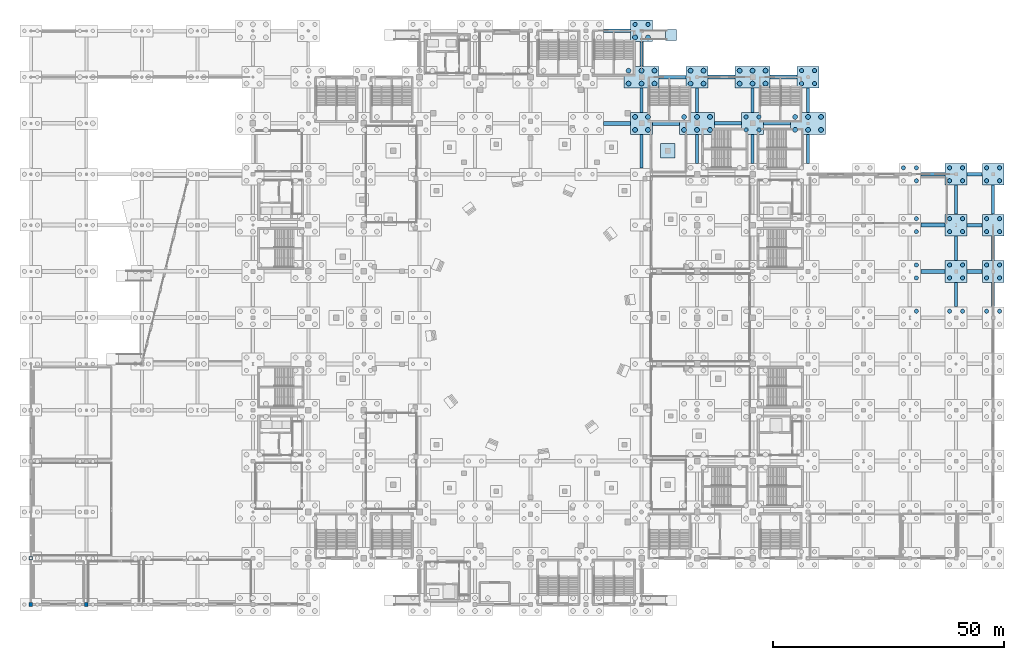
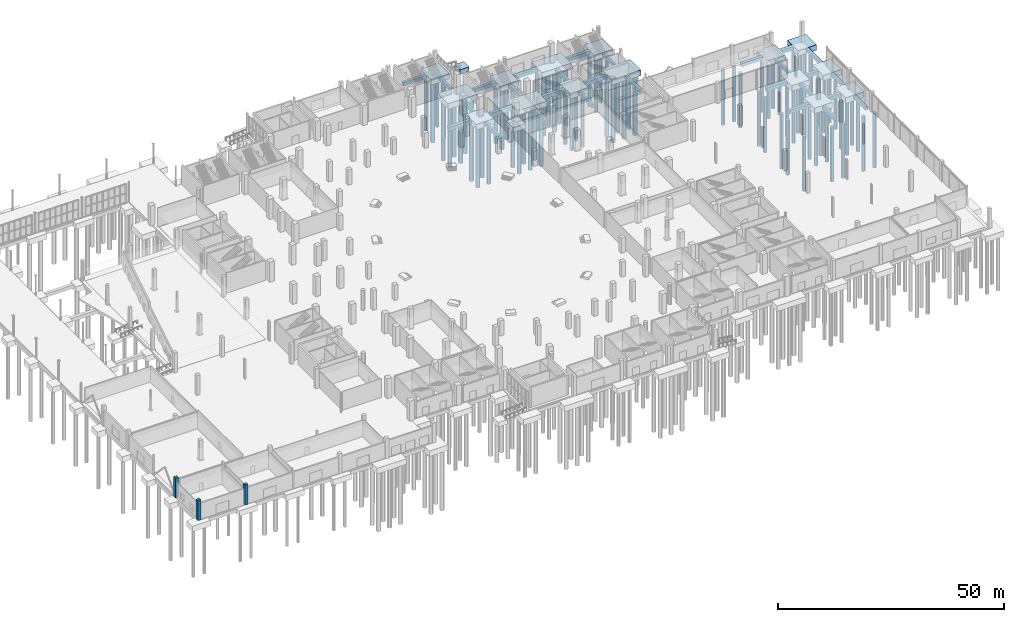
# One storey, part 9 of 70: 80 piles, 46 footings, 3 columns.
"""IFC4 building model written with IfcOpenShell, lengths in metres."""

from ifc_helpers import new_model, si_unit, direction, frame, origin, origin_2d, place, context, subcontext, project, spatial, rectangle, circle, extrude, material, layer, layer_set, material_profile, profile_set, type_object, element, save


model = new_model("IFC4")

# Units and contexts
model_context = context("Model", 3, precision=1e-05, world=origin(), true_north=direction((0.0, 1.0)))
body_context = subcontext(model_context, "Body", "Model", "MODEL_VIEW")
ifc_project = project(units=[si_unit("LENGTHUNIT", "METRE"), si_unit("AREAUNIT", "SQUARE_METRE"), si_unit("VOLUMEUNIT", "CUBIC_METRE"), si_unit("PLANEANGLEUNIT", "RADIAN"), si_unit("MASSUNIT", "GRAM", prefix="KILO")], contexts=[model_context])

# Site, building, storey
site_placement = place(None, origin())
site = spatial("IfcSite", under=ifc_project, at=site_placement, CompositionType="ELEMENT")
building_placement = place(site_placement, origin())
building = spatial("IfcBuilding", under=site, at=building_placement, Name="Brinegate Civic Arena", CompositionType="ELEMENT")
storey_placement = place(building_placement, origin())
storey = spatial("IfcBuildingStorey", under=building, at=storey_placement, Name="L00", CompositionType="ELEMENT", Elevation=0.0)

# Footings
ifc_material_1 = material(Name="Concrete C40/50", Category="concrete")
ifc_layer_1 = layer(ifc_material_1, 1.5, Name="Concrete C40/50")
ifc_layer_set_1 = layer_set([ifc_layer_1], Name="Concrete C40/50")
footing_type_1 = type_object("IfcFootingType", Name="CAP-4PILE-3800", PredefinedType="PILE_CAP", material=ifc_layer_set_1)
for number, where, z_axis, x_axis, name in (
    (1, (132.0, 104.0, -1.800048828125), (0.0, 0.0, 1.0), (1.0, 0.0, 0.0), "Pile Cap CAP-131 (12-L)"),
    (2, (132.0, 124.0, -1.800048828125), (0.0, 0.0, 1.0), (1.0, 0.0, 0.0), "Pile Cap CAP-133 (12-N)"),
    (3, (144.0, 114.0, -1.800048828125), (0.0, 0.0, 1.0), (1.0, 0.0, 0.0), "Pile Cap CAP-144 (13-M)"),
    (4, (156.0, 104.0, -1.800048828125), (0.0, 0.0, 1.0), (1.0, 0.0, 0.0), "Pile Cap CAP-154 (14-L)"),
    (5, (168.0, 114.0, -1.800048828125), (0.0, 0.0, 1.0), (1.0, 0.0, 0.0), "Pile Cap CAP-166 (15-M)"),
    (6, (200.0, 72.0, -1.800048828125), (0.0, 0.0, 1.0), (1.0, 0.0, 0.0), "Pile Cap CAP-191 (18-H)"),
    (7, (200.0, 82.0, -1.800048828125), (0.0, 0.0, 1.0), (1.0, 0.0, 0.0), "Pile Cap CAP-192 (18-J)"),
    (8, (200.0, 93.0, -1.800048828125), (0.0, 0.0, 1.0), (1.0, 0.0, 0.0), "Pile Cap CAP-193 (18-K)"),
    (9, (208.0, 72.0, -1.800048828125), (0.0, 0.0, 1.0), (1.0, 0.0, 0.0), "Pile Cap CAP-200 (19-H)"),
    (10, (208.0, 82.0, -1.800048828125), (0.0, 0.0, 1.0), (1.0, 0.0, 0.0), "Pile Cap CAP-201 (19-J)"),
    (11, (208.0, 93.0, -1.800048828125), (0.0, 0.0, 1.0), (1.0, 0.0, 0.0), "Pile Cap CAP-202 (19-K)"),
):
    element("IfcFooting", number, at=place(storey_placement, frame(where, z_axis=z_axis, x_axis=x_axis)), inside=storey, type_object=footing_type_1, Name=name, PredefinedType="PILE_CAP", context=body_context, shape_type="SweptSolid", body=[
        extrude(rectangle(XDim=4.699951171875, YDim=4.699951171875, at=origin_2d()), origin(), (0.0, 0.0, 1.0), 1.5),
    ])
ifc_layer_2 = layer(ifc_material_1, 1.5, Name="Concrete C40/50")
ifc_layer_set_2 = layer_set([ifc_layer_2], Name="Concrete C40/50")
footing_type_2 = type_object("IfcFootingType", Name="CAP-6PILE-5400", PredefinedType="PILE_CAP", material=ifc_layer_set_2)
for number, where, z_axis, x_axis, name in (
    (12, (132.0, 114.0, -1.800048828125), (0.0, 0.0, 1.0), (1.0, 0.0, 0.0), "Pile Cap CAP-132 (12-M)"),
    (13, (144.0, 104.0, -1.800048828125), (0.0, 0.0, 1.0), (1.0, 0.0, 0.0), "Pile Cap CAP-143 (13-L)"),
    (14, (156.0, 114.0, -1.800048828125), (0.0, 0.0, 1.0), (1.0, 0.0, 0.0), "Pile Cap CAP-155 (14-M)"),
    (15, (168.0, 104.0, -1.800048828125), (0.0, 0.0, 1.0), (1.0, 0.0, 0.0), "Pile Cap CAP-165 (15-L)"),
):
    element("IfcFooting", number, at=place(storey_placement, frame(where, z_axis=z_axis, x_axis=x_axis)), inside=storey, type_object=footing_type_2, Name=name, PredefinedType="PILE_CAP", context=body_context, shape_type="SweptSolid", body=[
        extrude(rectangle(XDim=7.5, YDim=4.699951171875, at=origin_2d()), origin(), (0.0, 0.0, 1.0), 1.5),
    ])
ifc_layer_3 = layer(ifc_material_1, 1.199951171875, Name="Concrete C40/50")
ifc_layer_set_3 = layer_set([ifc_layer_3], Name="Concrete C40/50")
footing_type_3 = type_object("IfcFootingType", Name="PAD-FOOT-2400", PredefinedType="PAD_FOOTING", material=ifc_layer_set_3)
footing_1_placement = place(storey_placement, frame((138.35009765625, 123.10009765625, -1.64892578125), z_axis=(0.0, 0.0, 1.0), x_axis=(1.0, 0.0, 0.0)))
element("IfcFooting", 16, at=footing_1_placement, inside=storey, type_object=footing_type_3, Name="Ramp Toe Pad Footing PAD-038", PredefinedType="PAD_FOOTING", context=body_context, shape_type="SweptSolid", body=[
    extrude(rectangle(XDim=2.39990234375, YDim=2.39990234375, at=origin_2d()), origin(), (0.0, 0.0, 1.0), 1.199951171875),
])
ifc_layer_4 = layer(ifc_material_1, 1.300048828125, Name="Concrete C40/50")
ifc_layer_set_4 = layer_set([ifc_layer_4], Name="Concrete C40/50")
footing_type_4 = type_object("IfcFootingType", Name="PAD-FOOT-3100", PredefinedType="PAD_FOOTING", material=ifc_layer_set_4)
footing_2_placement = place(storey_placement, frame((137.697998046875, 98.06201171875, -1.60009765625), z_axis=(0.0, 0.0, 1.0), x_axis=(1.0, 0.0, 0.0)))
element("IfcFooting", 17, at=footing_2_placement, inside=storey, type_object=footing_type_4, Name="Pad Footing PAD-022", PredefinedType="PAD_FOOTING", context=body_context, shape_type="SweptSolid", body=[
    extrude(rectangle(XDim=3.10009765625, YDim=3.10009765625, at=origin_2d()), origin(), (0.0, 0.0, 1.0), 1.300048828125),
])

# Piles
ifc_material_profile_1 = material_profile(ifc_material_1, circle(Radius=0.52490234375, at=origin_2d()), Name="PILED1050")
ifc_profile_set_1 = profile_set([ifc_material_profile_1], Name="Concrete C40/50")
pile_type_1 = type_object("IfcPileType", Name="PILE-BORED-1050", PredefinedType="BORED", material=ifc_profile_set_1)
for number, where, z_axis, x_axis, name in (
    (18, (130.60009765625, 102.60009765625, -1.699951171875), (0.0, 0.0, -1.0), (1.0, 0.0, 0.0), "Bored Socket Pile PIL-0451"),
    (19, (133.39990234375, 102.60009765625, -1.699951171875), (0.0, 0.0, -1.0), (1.0, 0.0, 0.0), "Bored Socket Pile PIL-0452"),
    (20, (130.60009765625, 105.39990234375, -1.699951171875), (0.0, 0.0, -1.0), (1.0, 0.0, 0.0), "Bored Socket Pile PIL-0453"),
    (21, (133.39990234375, 105.39990234375, -1.699951171875), (0.0, 0.0, -1.0), (1.0, 0.0, 0.0), "Bored Socket Pile PIL-0454"),
    (22, (129.199951171875, 112.60009765625, -1.699951171875), (0.0, 0.0, -1.0), (1.0, 0.0, 0.0), "Bored Socket Pile PIL-0455"),
    (23, (132.0, 112.60009765625, -1.699951171875), (0.0, 0.0, -1.0), (1.0, 0.0, 0.0), "Bored Socket Pile PIL-0456"),
    (24, (134.800048828125, 112.60009765625, -1.699951171875), (0.0, 0.0, -1.0), (1.0, 0.0, 0.0), "Bored Socket Pile PIL-0457"),
    (25, (129.199951171875, 115.39990234375, -1.699951171875), (0.0, 0.0, -1.0), (1.0, 0.0, 0.0), "Bored Socket Pile PIL-0458"),
    (26, (132.0, 115.39990234375, -1.699951171875), (0.0, 0.0, -1.0), (1.0, 0.0, 0.0), "Bored Socket Pile PIL-0459"),
    (27, (134.800048828125, 115.39990234375, -1.699951171875), (0.0, 0.0, -1.0), (1.0, 0.0, 0.0), "Bored Socket Pile PIL-0460"),
    (28, (130.60009765625, 122.60009765625, -1.699951171875), (0.0, 0.0, -1.0), (1.0, 0.0, 0.0), "Bored Socket Pile PIL-0461"),
    (29, (133.39990234375, 122.60009765625, -1.699951171875), (0.0, 0.0, -1.0), (1.0, 0.0, 0.0), "Bored Socket Pile PIL-0462"),
    (30, (141.199951171875, 102.60009765625, -1.699951171875), (0.0, 0.0, -1.0), (1.0, 0.0, 0.0), "Bored Socket Pile PIL-0509"),
    (31, (144.0, 102.60009765625, -1.699951171875), (0.0, 0.0, -1.0), (1.0, 0.0, 0.0), "Bored Socket Pile PIL-0510"),
    (32, (146.800048828125, 102.60009765625, -1.699951171875), (0.0, 0.0, -1.0), (1.0, 0.0, 0.0), "Bored Socket Pile PIL-0511"),
    (33, (141.199951171875, 105.39990234375, -1.699951171875), (0.0, 0.0, -1.0), (1.0, 0.0, 0.0), "Bored Socket Pile PIL-0512"),
    (34, (144.0, 105.39990234375, -1.699951171875), (0.0, 0.0, -1.0), (1.0, 0.0, 0.0), "Bored Socket Pile PIL-0513"),
    (35, (146.800048828125, 105.39990234375, -1.699951171875), (0.0, 0.0, -1.0), (1.0, 0.0, 0.0), "Bored Socket Pile PIL-0514"),
    (36, (142.60009765625, 112.60009765625, -1.699951171875), (0.0, 0.0, -1.0), (1.0, 0.0, 0.0), "Bored Socket Pile PIL-0515"),
    (37, (145.39990234375, 112.60009765625, -1.699951171875), (0.0, 0.0, -1.0), (1.0, 0.0, 0.0), "Bored Socket Pile PIL-0516"),
    (38, (142.60009765625, 115.39990234375, -1.699951171875), (0.0, 0.0, -1.0), (1.0, 0.0, 0.0), "Bored Socket Pile PIL-0517"),
    (39, (145.39990234375, 115.39990234375, -1.699951171875), (0.0, 0.0, -1.0), (1.0, 0.0, 0.0), "Bored Socket Pile PIL-0518"),
    (40, (153.199951171875, 112.60009765625, -1.699951171875), (0.0, 0.0, -1.0), (1.0, 0.0, 0.0), "Bored Socket Pile PIL-0569"),
    (41, (156.0, 112.60009765625, -1.699951171875), (0.0, 0.0, -1.0), (1.0, 0.0, 0.0), "Bored Socket Pile PIL-0570"),
    (42, (158.800048828125, 112.60009765625, -1.699951171875), (0.0, 0.0, -1.0), (1.0, 0.0, 0.0), "Bored Socket Pile PIL-0571"),
    (43, (153.199951171875, 115.39990234375, -1.699951171875), (0.0, 0.0, -1.0), (1.0, 0.0, 0.0), "Bored Socket Pile PIL-0572"),
    (44, (156.0, 115.39990234375, -1.699951171875), (0.0, 0.0, -1.0), (1.0, 0.0, 0.0), "Bored Socket Pile PIL-0573"),
    (45, (158.800048828125, 115.39990234375, -1.699951171875), (0.0, 0.0, -1.0), (1.0, 0.0, 0.0), "Bored Socket Pile PIL-0574"),
    (46, (165.199951171875, 102.60009765625, -1.699951171875), (0.0, 0.0, -1.0), (1.0, 0.0, 0.0), "Bored Socket Pile PIL-0619"),
    (47, (168.0, 102.60009765625, -1.699951171875), (0.0, 0.0, -1.0), (1.0, 0.0, 0.0), "Bored Socket Pile PIL-0620"),
    (48, (170.800048828125, 102.60009765625, -1.699951171875), (0.0, 0.0, -1.0), (1.0, 0.0, 0.0), "Bored Socket Pile PIL-0621"),
    (49, (165.199951171875, 105.39990234375, -1.699951171875), (0.0, 0.0, -1.0), (1.0, 0.0, 0.0), "Bored Socket Pile PIL-0622"),
    (50, (168.0, 105.39990234375, -1.699951171875), (0.0, 0.0, -1.0), (1.0, 0.0, 0.0), "Bored Socket Pile PIL-0623"),
    (51, (170.800048828125, 105.39990234375, -1.699951171875), (0.0, 0.0, -1.0), (1.0, 0.0, 0.0), "Bored Socket Pile PIL-0624"),
):
    element("IfcPile", number, at=place(storey_placement, frame(where, z_axis=z_axis, x_axis=x_axis)), inside=storey, type_object=pile_type_1, Name=name, PredefinedType="BORED", context=body_context, shape_type="SweptSolid", body=[
        extrude(circle(Radius=0.52490234375, at=origin_2d()), origin(), (0.0, 0.0, 1.0), 16.300048828125),
    ])
ifc_material_profile_2 = material_profile(ifc_material_1, circle(Radius=0.449951171875, at=origin_2d()), Name="PILED900")
ifc_profile_set_2 = profile_set([ifc_material_profile_2], Name="Concrete C40/50")
pile_type_2 = type_object("IfcPileType", Name="PILE-BORED-900", PredefinedType="BORED", material=ifc_profile_set_2)
for number, where, z_axis, x_axis, name in (
    (52, (130.60009765625, 125.39990234375, -1.699951171875), (0.0, 0.0, -1.0), (1.0, 0.0, 0.0), "Bored Socket Pile PIL-0463"),
    (53, (133.39990234375, 125.39990234375, -1.699951171875), (0.0, 0.0, -1.0), (1.0, 0.0, 0.0), "Bored Socket Pile PIL-0464"),
    (54, (154.60009765625, 102.60009765625, -1.699951171875), (0.0, 0.0, -1.0), (1.0, 0.0, 0.0), "Bored Socket Pile PIL-0565"),
    (55, (157.39990234375, 102.60009765625, -1.699951171875), (0.0, 0.0, -1.0), (1.0, 0.0, 0.0), "Bored Socket Pile PIL-0566"),
    (56, (154.60009765625, 105.39990234375, -1.699951171875), (0.0, 0.0, -1.0), (1.0, 0.0, 0.0), "Bored Socket Pile PIL-0567"),
    (57, (157.39990234375, 105.39990234375, -1.699951171875), (0.0, 0.0, -1.0), (1.0, 0.0, 0.0), "Bored Socket Pile PIL-0568"),
    (58, (166.60009765625, 112.60009765625, -1.699951171875), (0.0, 0.0, -1.0), (1.0, 0.0, 0.0), "Bored Socket Pile PIL-0625"),
    (59, (169.39990234375, 112.60009765625, -1.699951171875), (0.0, 0.0, -1.0), (1.0, 0.0, 0.0), "Bored Socket Pile PIL-0626"),
    (60, (166.60009765625, 115.39990234375, -1.699951171875), (0.0, 0.0, -1.0), (1.0, 0.0, 0.0), "Bored Socket Pile PIL-0627"),
    (61, (169.39990234375, 115.39990234375, -1.699951171875), (0.0, 0.0, -1.0), (1.0, 0.0, 0.0), "Bored Socket Pile PIL-0628"),
    (62, (191.39990234375, 63.39990234375, -1.699951171875), (0.0, 0.0, -1.0), (1.0, 0.0, 0.0), "Bored Socket Pile PIL-0688"),
    (63, (191.39990234375, 70.60009765625, -1.699951171875), (0.0, 0.0, -1.0), (1.0, 0.0, 0.0), "Bored Socket Pile PIL-0690"),
    (64, (191.39990234375, 73.39990234375, -1.699951171875), (0.0, 0.0, -1.0), (1.0, 0.0, 0.0), "Bored Socket Pile PIL-0692"),
    (65, (191.39990234375, 80.60009765625, -1.699951171875), (0.0, 0.0, -1.0), (1.0, 0.0, 0.0), "Bored Socket Pile PIL-0694"),
    (66, (191.39990234375, 83.39990234375, -1.699951171875), (0.0, 0.0, -1.0), (1.0, 0.0, 0.0), "Bored Socket Pile PIL-0696"),
    (67, (191.39990234375, 91.60009765625, -1.699951171875), (0.0, 0.0, -1.0), (1.0, 0.0, 0.0), "Bored Socket Pile PIL-0698"),
    (68, (188.60009765625, 94.39990234375, -1.699951171875), (0.0, 0.0, -1.0), (1.0, 0.0, 0.0), "Bored Socket Pile PIL-0699"),
    (69, (191.39990234375, 94.39990234375, -1.699951171875), (0.0, 0.0, -1.0), (1.0, 0.0, 0.0), "Bored Socket Pile PIL-0700"),
    (70, (198.60009765625, 63.39990234375, -1.699951171875), (0.0, 0.0, -1.0), (1.0, 0.0, 0.0), "Bored Socket Pile PIL-0723"),
    (71, (201.39990234375, 63.39990234375, -1.699951171875), (0.0, 0.0, -1.0), (1.0, 0.0, 0.0), "Bored Socket Pile PIL-0724"),
    (72, (198.60009765625, 70.60009765625, -1.699951171875), (0.0, 0.0, -1.0), (1.0, 0.0, 0.0), "Bored Socket Pile PIL-0725"),
    (73, (201.39990234375, 70.60009765625, -1.699951171875), (0.0, 0.0, -1.0), (1.0, 0.0, 0.0), "Bored Socket Pile PIL-0726"),
    (74, (198.60009765625, 73.39990234375, -1.699951171875), (0.0, 0.0, -1.0), (1.0, 0.0, 0.0), "Bored Socket Pile PIL-0727"),
    (75, (201.39990234375, 73.39990234375, -1.699951171875), (0.0, 0.0, -1.0), (1.0, 0.0, 0.0), "Bored Socket Pile PIL-0728"),
    (76, (198.60009765625, 80.60009765625, -1.699951171875), (0.0, 0.0, -1.0), (1.0, 0.0, 0.0), "Bored Socket Pile PIL-0729"),
    (77, (201.39990234375, 80.60009765625, -1.699951171875), (0.0, 0.0, -1.0), (1.0, 0.0, 0.0), "Bored Socket Pile PIL-0730"),
    (78, (198.60009765625, 83.39990234375, -1.699951171875), (0.0, 0.0, -1.0), (1.0, 0.0, 0.0), "Bored Socket Pile PIL-0731"),
    (79, (201.39990234375, 83.39990234375, -1.699951171875), (0.0, 0.0, -1.0), (1.0, 0.0, 0.0), "Bored Socket Pile PIL-0732"),
    (80, (198.60009765625, 91.60009765625, -1.699951171875), (0.0, 0.0, -1.0), (1.0, 0.0, 0.0), "Bored Socket Pile PIL-0733"),
    (81, (201.39990234375, 91.60009765625, -1.699951171875), (0.0, 0.0, -1.0), (1.0, 0.0, 0.0), "Bored Socket Pile PIL-0734"),
    (82, (198.60009765625, 94.39990234375, -1.699951171875), (0.0, 0.0, -1.0), (1.0, 0.0, 0.0), "Bored Socket Pile PIL-0735"),
    (83, (201.39990234375, 94.39990234375, -1.699951171875), (0.0, 0.0, -1.0), (1.0, 0.0, 0.0), "Bored Socket Pile PIL-0736"),
    (84, (206.60009765625, 63.39990234375, -1.699951171875), (0.0, 0.0, -1.0), (1.0, 0.0, 0.0), "Bored Socket Pile PIL-0759"),
    (85, (209.39990234375, 63.39990234375, -1.699951171875), (0.0, 0.0, -1.0), (1.0, 0.0, 0.0), "Bored Socket Pile PIL-0760"),
    (86, (206.60009765625, 70.60009765625, -1.699951171875), (0.0, 0.0, -1.0), (1.0, 0.0, 0.0), "Bored Socket Pile PIL-0761"),
    (87, (209.39990234375, 70.60009765625, -1.699951171875), (0.0, 0.0, -1.0), (1.0, 0.0, 0.0), "Bored Socket Pile PIL-0762"),
    (88, (206.60009765625, 73.39990234375, -1.699951171875), (0.0, 0.0, -1.0), (1.0, 0.0, 0.0), "Bored Socket Pile PIL-0763"),
    (89, (209.39990234375, 73.39990234375, -1.699951171875), (0.0, 0.0, -1.0), (1.0, 0.0, 0.0), "Bored Socket Pile PIL-0764"),
    (90, (206.60009765625, 80.60009765625, -1.699951171875), (0.0, 0.0, -1.0), (1.0, 0.0, 0.0), "Bored Socket Pile PIL-0765"),
    (91, (209.39990234375, 80.60009765625, -1.699951171875), (0.0, 0.0, -1.0), (1.0, 0.0, 0.0), "Bored Socket Pile PIL-0766"),
    (92, (206.60009765625, 83.39990234375, -1.699951171875), (0.0, 0.0, -1.0), (1.0, 0.0, 0.0), "Bored Socket Pile PIL-0767"),
    (93, (209.39990234375, 83.39990234375, -1.699951171875), (0.0, 0.0, -1.0), (1.0, 0.0, 0.0), "Bored Socket Pile PIL-0768"),
    (94, (206.60009765625, 91.60009765625, -1.699951171875), (0.0, 0.0, -1.0), (1.0, 0.0, 0.0), "Bored Socket Pile PIL-0769"),
    (95, (209.39990234375, 91.60009765625, -1.699951171875), (0.0, 0.0, -1.0), (1.0, 0.0, 0.0), "Bored Socket Pile PIL-0770"),
    (96, (206.60009765625, 94.39990234375, -1.699951171875), (0.0, 0.0, -1.0), (1.0, 0.0, 0.0), "Bored Socket Pile PIL-0771"),
    (97, (209.39990234375, 94.39990234375, -1.699951171875), (0.0, 0.0, -1.0), (1.0, 0.0, 0.0), "Bored Socket Pile PIL-0772"),
):
    element("IfcPile", number, at=place(storey_placement, frame(where, z_axis=z_axis, x_axis=x_axis)), inside=storey, type_object=pile_type_2, Name=name, PredefinedType="BORED", context=body_context, shape_type="SweptSolid", body=[
        extrude(circle(Radius=0.449951171875, at=origin_2d()), origin(), (0.0, 0.0, 1.0), 14.800048828125),
    ])

# Footings
ifc_layer_5 = layer(ifc_material_1, 0.89990234375, Name="Concrete C40/50")
ifc_layer_set_5 = layer_set([ifc_layer_5], Name="Concrete C40/50")
footing_type_5 = type_object("IfcFootingType", Name="TIE-BEAM-650X900", PredefinedType="FOOTING_BEAM", material=ifc_layer_set_5)
footing_3_placement = place(storey_placement, frame((132.0, 97.97509765625, -1.199951171875), z_axis=(0.0, 0.0, 1.0), x_axis=(0.0, 1.0, 0.0)))
element("IfcFooting", 98, at=footing_3_placement, inside=storey, type_object=footing_type_5, Name="Ground Tie Beam GTB-220", PredefinedType="FOOTING_BEAM", context=body_context, shape_type="SweptSolid", body=[
    extrude(rectangle(XDim=7.31005859375, YDim=0.64990234375, at=origin_2d()), origin(), (0.0, 0.0, 1.0), 0.89990234375),
])
for number, where, z_axis, x_axis, name in (
    (99, (132.0, 109.0, -1.199951171875), (0.0, 0.0, 1.0), (0.0, 1.0, 0.0), "Ground Tie Beam GTB-222"),
    (100, (132.0, 119.0, -1.199951171875), (0.0, 0.0, 1.0), (0.0, 1.0, 0.0), "Ground Tie Beam GTB-224"),
):
    element("IfcFooting", number, at=place(storey_placement, frame(where, z_axis=z_axis, x_axis=x_axis)), inside=storey, type_object=footing_type_5, Name=name, PredefinedType="FOOTING_BEAM", context=body_context, shape_type="SweptSolid", body=[
        extrude(rectangle(XDim=5.260009765625, YDim=0.64990234375, at=origin_2d()), origin(), (0.0, 0.0, 1.0), 0.89990234375),
    ])
footing_4_placement = place(storey_placement, frame((156.0, 98.5, -1.199951171875), z_axis=(0.0, 0.0, 1.0), x_axis=(0.0, 1.0, 0.0)))
element("IfcFooting", 101, at=footing_4_placement, inside=storey, type_object=footing_type_5, Name="Ground Tie Beam GTB-260", PredefinedType="FOOTING_BEAM", context=body_context, shape_type="SweptSolid", body=[
    extrude(rectangle(XDim=6.260009765625, YDim=0.64990234375, at=origin_2d()), origin(), (0.0, 0.0, 1.0), 0.89990234375),
])
for number, where, z_axis, x_axis, name in (
    (102, (156.0, 109.0, -1.199951171875), (0.0, 0.0, 1.0), (0.0, 1.0, 0.0), "Ground Tie Beam GTB-262"),
    (103, (168.0, 109.0, -1.199951171875), (0.0, 0.0, 1.0), (0.0, 1.0, 0.0), "Ground Tie Beam GTB-282"),
    (104, (200.0, 67.0, -1.199951171875), (0.0, 0.0, 1.0), (0.0, 1.0, 0.0), "Ground Tie Beam GTB-328"),
    (105, (200.0, 77.0, -1.199951171875), (0.0, 0.0, 1.0), (0.0, 1.0, 0.0), "Ground Tie Beam GTB-330"),
):
    element("IfcFooting", number, at=place(storey_placement, frame(where, z_axis=z_axis, x_axis=x_axis)), inside=storey, type_object=footing_type_5, Name=name, PredefinedType="FOOTING_BEAM", context=body_context, shape_type="SweptSolid", body=[
        extrude(rectangle(XDim=5.260009765625, YDim=0.64990234375, at=origin_2d()), origin(), (0.0, 0.0, 1.0), 0.89990234375),
    ])
footing_5_placement = place(storey_placement, frame((200.0, 87.5, -1.199951171875), z_axis=(0.0, 0.0, 1.0), x_axis=(0.0, 1.0, 0.0)))
element("IfcFooting", 106, at=footing_5_placement, inside=storey, type_object=footing_type_5, Name="Ground Tie Beam GTB-332", PredefinedType="FOOTING_BEAM", context=body_context, shape_type="SweptSolid", body=[
    extrude(rectangle(XDim=6.260009765625, YDim=0.64990234375, at=origin_2d()), origin(), (0.0, 0.0, 1.0), 0.89990234375),
])
footing_6_placement = place(storey_placement, frame((208.0, 77.0, -1.199951171875), z_axis=(0.0, 0.0, 1.0), x_axis=(0.0, 1.0, 0.0)))
element("IfcFooting", 107, at=footing_6_placement, inside=storey, type_object=footing_type_5, Name="Ground Tie Beam GTB-340", PredefinedType="FOOTING_BEAM", context=body_context, shape_type="SweptSolid", body=[
    extrude(rectangle(XDim=5.260009765625, YDim=0.64990234375, at=origin_2d()), origin(), (0.0, 0.0, 1.0), 0.89990234375),
])
ifc_layer_6 = layer(ifc_material_1, 0.85009765625, Name="Concrete C40/50")
ifc_layer_set_6 = layer_set([ifc_layer_6], Name="Concrete C40/50")
footing_type_6 = type_object("IfcFootingType", Name="TIE-BEAM-700X850", PredefinedType="FOOTING_BEAM", material=ifc_layer_set_6)
footing_7_placement = place(storey_placement, frame((144.0, 98.5, -1.175048828125), z_axis=(0.0, 0.0, 1.0), x_axis=(0.0, 1.0, 0.0)))
element("IfcFooting", 108, at=footing_7_placement, inside=storey, type_object=footing_type_6, Name="Ground Tie Beam GTB-239", PredefinedType="FOOTING_BEAM", context=body_context, shape_type="SweptSolid", body=[
    extrude(rectangle(XDim=6.260009765625, YDim=0.699951171875, at=origin_2d()), origin(), (0.0, 0.0, 1.0), 0.85009765625),
])
footing_8_placement = place(storey_placement, frame((144.0, 109.0, -1.175048828125), z_axis=(0.0, 0.0, 1.0), x_axis=(0.0, 1.0, 0.0)))
element("IfcFooting", 109, at=footing_8_placement, inside=storey, type_object=footing_type_6, Name="Ground Tie Beam GTB-241", PredefinedType="FOOTING_BEAM", context=body_context, shape_type="SweptSolid", body=[
    extrude(rectangle(XDim=5.260009765625, YDim=0.699951171875, at=origin_2d()), origin(), (0.0, 0.0, 1.0), 0.85009765625),
])
footing_9_placement = place(storey_placement, frame((168.0, 98.5, -1.175048828125), z_axis=(0.0, 0.0, 1.0), x_axis=(0.0, 1.0, 0.0)))
element("IfcFooting", 110, at=footing_9_placement, inside=storey, type_object=footing_type_6, Name="Ground Tie Beam GTB-281", PredefinedType="FOOTING_BEAM", context=body_context, shape_type="SweptSolid", body=[
    extrude(rectangle(XDim=6.260009765625, YDim=0.699951171875, at=origin_2d()), origin(), (0.0, 0.0, 1.0), 0.85009765625),
])
footing_10_placement = place(storey_placement, frame((208.0, 67.0, -1.175048828125), z_axis=(0.0, 0.0, 1.0), x_axis=(0.0, 1.0, 0.0)))
element("IfcFooting", 111, at=footing_10_placement, inside=storey, type_object=footing_type_6, Name="Ground Tie Beam GTB-339", PredefinedType="FOOTING_BEAM", context=body_context, shape_type="SweptSolid", body=[
    extrude(rectangle(XDim=5.260009765625, YDim=0.699951171875, at=origin_2d()), origin(), (0.0, 0.0, 1.0), 0.85009765625),
])
footing_11_placement = place(storey_placement, frame((208.0, 87.5, -1.175048828125), z_axis=(0.0, 0.0, 1.0), x_axis=(0.0, 1.0, 0.0)))
element("IfcFooting", 112, at=footing_11_placement, inside=storey, type_object=footing_type_6, Name="Ground Tie Beam GTB-341", PredefinedType="FOOTING_BEAM", context=body_context, shape_type="SweptSolid", body=[
    extrude(rectangle(XDim=6.260009765625, YDim=0.699951171875, at=origin_2d()), origin(), (0.0, 0.0, 1.0), 0.85009765625),
])
ifc_layer_7 = layer(ifc_material_1, 0.89990234375, Name="Concrete C40/50")
ifc_layer_set_7 = layer_set([ifc_layer_7], Name="Concrete C40/50")
footing_type_7 = type_object("IfcFootingType", Name="TIE-BEAM-750X900", PredefinedType="FOOTING_BEAM", material=ifc_layer_set_7)
footing_12_placement = place(storey_placement, frame((138.699951171875, 114.0, -1.199951171875), z_axis=(0.0, 0.0, 1.0), x_axis=(1.0, 0.0, 0.0)))
element("IfcFooting", 113, at=footing_12_placement, inside=storey, type_object=footing_type_7, Name="Ground Tie Beam GTB-223", PredefinedType="FOOTING_BEAM", context=body_context, shape_type="SweptSolid", body=[
    extrude(rectangle(XDim=5.860107421875, YDim=0.75, at=origin_2d()), origin(), (0.0, 0.0, 1.0), 0.89990234375),
])
footing_13_placement = place(storey_placement, frame((195.0, 93.0, -1.199951171875), z_axis=(0.0, 0.0, 1.0), x_axis=(1.0, 0.0, 0.0)))
element("IfcFooting", 114, at=footing_13_placement, inside=storey, type_object=footing_type_7, Name="Ground Tie Beam GTB-316", PredefinedType="FOOTING_BEAM", context=body_context, shape_type="SweptSolid", body=[
    extrude(rectangle(XDim=5.260009765625, YDim=0.75, at=origin_2d()), origin(), (0.0, 0.0, 1.0), 0.89990234375),
])
footing_14_placement = place(storey_placement, frame((204.0, 82.0, -1.199951171875), z_axis=(0.0, 0.0, 1.0), x_axis=(1.0, 0.0, 0.0)))
element("IfcFooting", 115, at=footing_14_placement, inside=storey, type_object=footing_type_7, Name="Ground Tie Beam GTB-331", PredefinedType="FOOTING_BEAM", context=body_context, shape_type="SweptSolid", body=[
    extrude(rectangle(XDim=3.260009765625, YDim=0.75, at=origin_2d()), origin(), (0.0, 0.0, 1.0), 0.89990234375),
])
ifc_layer_8 = layer(ifc_material_1, 0.89990234375, Name="Concrete C40/50")
ifc_layer_set_8 = layer_set([ifc_layer_8], Name="Concrete C40/50")
footing_type_8 = type_object("IfcFootingType", Name="TIE-BEAM-800X900", PredefinedType="FOOTING_BEAM", material=ifc_layer_set_8)
for number, where, z_axis, x_axis, name in (
    (116, (126.699951171875, 124.0, -1.199951171875), (0.0, 0.0, 1.0), (1.0, 0.0, 0.0), "Ground Tie Beam GTB-204"),
    (117, (150.699951171875, 104.0, -1.199951171875), (0.0, 0.0, 1.0), (1.0, 0.0, 0.0), "Ground Tie Beam GTB-240"),
    (118, (161.300048828125, 104.0, -1.199951171875), (0.0, 0.0, 1.0), (1.0, 0.0, 0.0), "Ground Tie Beam GTB-261"),
):
    element("IfcFooting", number, at=place(storey_placement, frame(where, z_axis=z_axis, x_axis=x_axis)), inside=storey, type_object=footing_type_8, Name=name, PredefinedType="FOOTING_BEAM", context=body_context, shape_type="SweptSolid", body=[
        extrude(rectangle(XDim=5.860107421875, YDim=0.800048828125, at=origin_2d()), origin(), (0.0, 0.0, 1.0), 0.89990234375),
    ])
footing_15_placement = place(storey_placement, frame((195.0, 72.0, -1.199951171875), z_axis=(0.0, 0.0, 1.0), x_axis=(1.0, 0.0, 0.0)))
element("IfcFooting", 119, at=footing_15_placement, inside=storey, type_object=footing_type_8, Name="Ground Tie Beam GTB-312", PredefinedType="FOOTING_BEAM", context=body_context, shape_type="SweptSolid", body=[
    extrude(rectangle(XDim=5.260009765625, YDim=0.800048828125, at=origin_2d()), origin(), (0.0, 0.0, 1.0), 0.89990234375),
])
footing_16_placement = place(storey_placement, frame((204.0, 93.0, -1.199951171875), z_axis=(0.0, 0.0, 1.0), x_axis=(1.0, 0.0, 0.0)))
element("IfcFooting", 120, at=footing_16_placement, inside=storey, type_object=footing_type_8, Name="Ground Tie Beam GTB-333", PredefinedType="FOOTING_BEAM", context=body_context, shape_type="SweptSolid", body=[
    extrude(rectangle(XDim=3.260009765625, YDim=0.800048828125, at=origin_2d()), origin(), (0.0, 0.0, 1.0), 0.89990234375),
])
ifc_layer_9 = layer(ifc_material_1, 0.949951171875, Name="Concrete C40/50")
ifc_layer_set_9 = layer_set([ifc_layer_9], Name="Concrete C40/50")
footing_type_9 = type_object("IfcFootingType", Name="TIE-BEAM-850X950", PredefinedType="FOOTING_BEAM", material=ifc_layer_set_9)
for number, where, z_axis, x_axis, name in (
    (121, (126.699951171875, 104.0, -1.22509765625), (0.0, 0.0, 1.0), (1.0, 0.0, 0.0), "Ground Tie Beam GTB-200"),
    (122, (137.300048828125, 104.0, -1.22509765625), (0.0, 0.0, 1.0), (1.0, 0.0, 0.0), "Ground Tie Beam GTB-221"),
    (123, (149.300048828125, 114.0, -1.22509765625), (0.0, 0.0, 1.0), (1.0, 0.0, 0.0), "Ground Tie Beam GTB-242"),
    (124, (162.699951171875, 114.0, -1.22509765625), (0.0, 0.0, 1.0), (1.0, 0.0, 0.0), "Ground Tie Beam GTB-263"),
):
    element("IfcFooting", number, at=place(storey_placement, frame(where, z_axis=z_axis, x_axis=x_axis)), inside=storey, type_object=footing_type_9, Name=name, PredefinedType="FOOTING_BEAM", context=body_context, shape_type="SweptSolid", body=[
        extrude(rectangle(XDim=5.860107421875, YDim=0.85009765625, at=origin_2d()), origin(), (0.0, 0.0, 1.0), 0.949951171875),
    ])
footing_17_placement = place(storey_placement, frame((195.0, 82.0, -1.22509765625), z_axis=(0.0, 0.0, 1.0), x_axis=(1.0, 0.0, 0.0)))
element("IfcFooting", 125, at=footing_17_placement, inside=storey, type_object=footing_type_9, Name="Ground Tie Beam GTB-314", PredefinedType="FOOTING_BEAM", context=body_context, shape_type="SweptSolid", body=[
    extrude(rectangle(XDim=5.260009765625, YDim=0.85009765625, at=origin_2d()), origin(), (0.0, 0.0, 1.0), 0.949951171875),
])
footing_18_placement = place(storey_placement, frame((204.0, 72.0, -1.22509765625), z_axis=(0.0, 0.0, 1.0), x_axis=(1.0, 0.0, 0.0)))
element("IfcFooting", 126, at=footing_18_placement, inside=storey, type_object=footing_type_9, Name="Ground Tie Beam GTB-329", PredefinedType="FOOTING_BEAM", context=body_context, shape_type="SweptSolid", body=[
    extrude(rectangle(XDim=3.260009765625, YDim=0.85009765625, at=origin_2d()), origin(), (0.0, 0.0, 1.0), 0.949951171875),
])

# Columns
ifc_material_2 = material(Name="Concrete C50/60", Category="concrete")
ifc_material_profile_3 = material_profile(ifc_material_2, rectangle(XDim=0.800048828125, YDim=0.800048828125, at=origin_2d()), Name="RC800X800")
ifc_profile_set_3 = profile_set([ifc_material_profile_3], Name="Concrete C50/60")
column_type = type_object("IfcColumnType", Name="COL-CC07-800", PredefinedType="COLUMN", material=ifc_profile_set_3)
for number, where, z_axis, x_axis, name in (
    (127, (0.0, 0.0, 0.0), (0.0, 0.0, 1.0), (1.0, 0.0, 0.0), "Column COL-L00-1-A"),
    (128, (0.0, 10.0, 0.0), (0.0, 0.0, 1.0), (1.0, 0.0, 0.0), "Column COL-L00-1-B"),
    (129, (12.0, 0.0, 0.0), (0.0, 0.0, 1.0), (1.0, 0.0, 0.0), "Column COL-L00-2-A"),
):
    element("IfcColumn", number, at=place(storey_placement, frame(where, z_axis=z_axis, x_axis=x_axis)), inside=storey, type_object=column_type, Name=name, PredefinedType="COLUMN", context=body_context, shape_type="SweptSolid", body=[
        extrude(rectangle(XDim=0.800048828125, YDim=0.800048828125, at=origin_2d()), origin(), (0.0, 0.0, 1.0), 5.39990234375),
    ])

save(model, "model.ifc")
